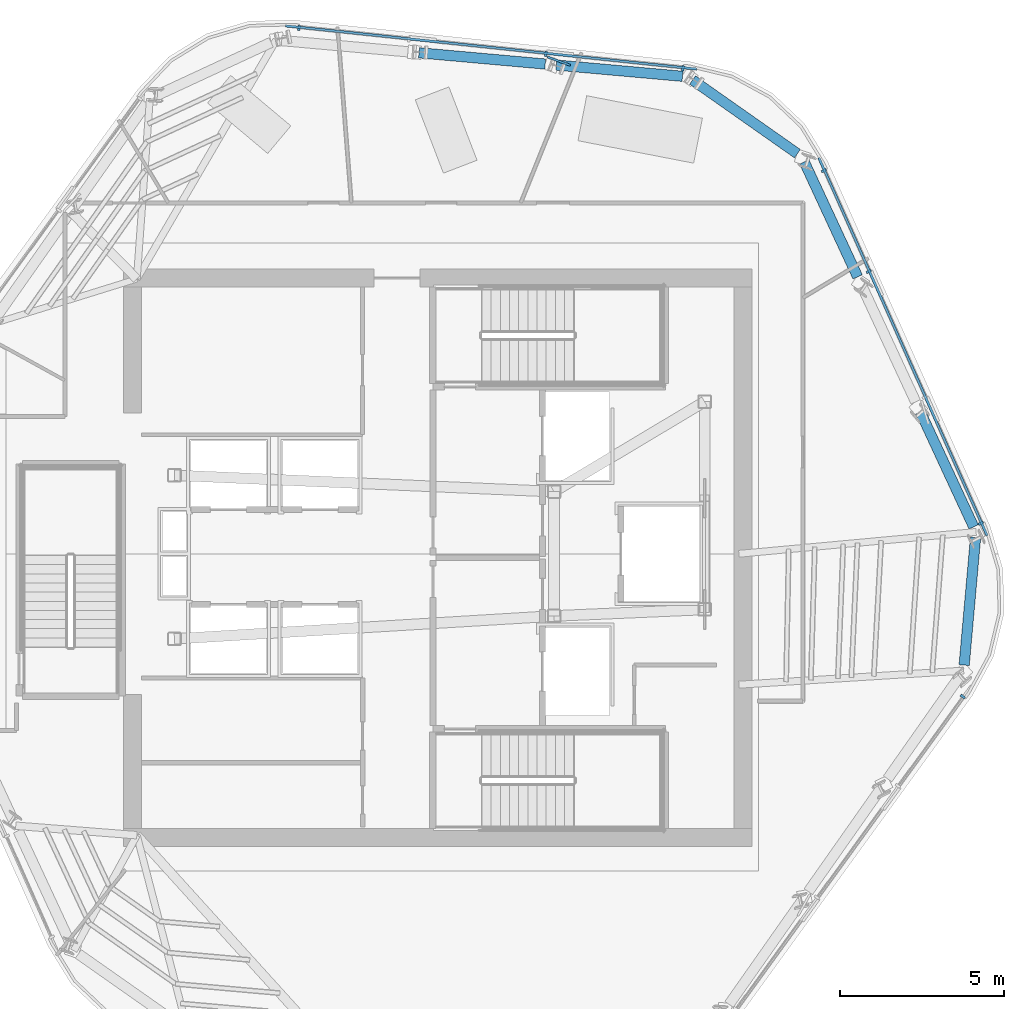
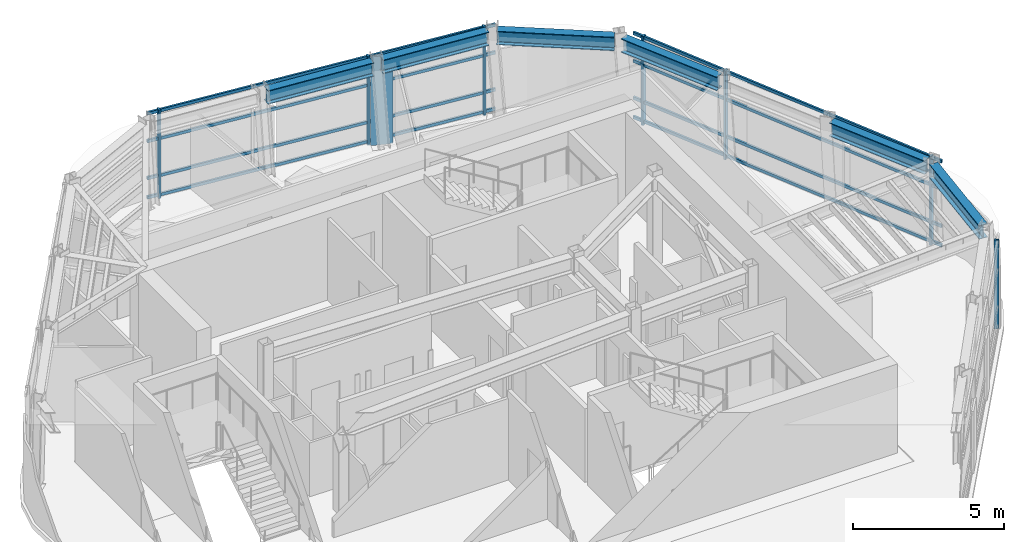
# One storey, part 4 of 12: 16 members, 6 beams, 3 elements without a shape of their own.
"""IFC4 building model written with IfcOpenShell, lengths in metres."""

from ifc_helpers import new_model, si_unit, direction, frame, origin, origin_2d, place, context, subcontext, project, spatial, rectangle, i_section, extrude, material, layer, layer_set, material_profile, profile_set, type_object, element, aggregate, save


model = new_model("IFC4")

# Units and contexts
model_context = context("Model", 3, precision=1e-05, world=origin(), true_north=direction((0.0, 1.0)))
body_context = subcontext(model_context, "Body", "Model", "MODEL_VIEW")
ifc_project = project(units=[si_unit("LENGTHUNIT", "METRE"), si_unit("AREAUNIT", "SQUARE_METRE"), si_unit("VOLUMEUNIT", "CUBIC_METRE"), si_unit("PLANEANGLEUNIT", "RADIAN"), si_unit("MASSUNIT", "GRAM", prefix="KILO")], contexts=[model_context])

# Site, building, storey
site_placement = place(None, origin())
site = spatial("IfcSite", under=ifc_project, at=site_placement, CompositionType="ELEMENT")
building_placement = place(site_placement, origin())
building = spatial("IfcBuilding", under=site, at=building_placement, Name="Valkerne Bourse Tower", CompositionType="ELEMENT")
storey_placement = place(building_placement, frame((0.0, 0.0, 258.39990234375)))
storey = spatial("IfcBuildingStorey", under=building, at=storey_placement, Name="L65", CompositionType="ELEMENT", Elevation=258.39990234375)

# Beams
ifc_material_1 = material(Name="Steel ASTM A992", Category="steel")
ifc_material_profile_1 = material_profile(ifc_material_1, i_section(OverallWidth=0.31494140625, OverallDepth=0.5537109375, WebThickness=0.0166015625, FlangeThickness=0.026123046875, FilletRadius=0.020263671875, at=origin_2d()), Name="W21X132")
ifc_profile_set_1 = profile_set([ifc_material_profile_1], Name="Steel ASTM A992")
beam_type = type_object("IfcBeamType", Name="BM-W21X132", PredefinedType="BEAM", material=ifc_profile_set_1)
beam_1_placement = place(storey_placement, frame((54.27490234375, 41.592041015625, 3.3232421875), z_axis=(-0.996040696614, 0.088898429056, 0.0), x_axis=(-0.088898429056, -0.996040696614, 0.0)))
element("IfcBeam", 1, at=beam_1_placement, inside=storey, type_object=beam_type, Name="L65 Hexagonal Spandrel Ring Beam 00", PredefinedType="BEAM", context=body_context, shape_type="SweptSolid", body=[
    extrude(i_section(OverallWidth=0.31494140625, OverallDepth=0.5537109375, WebThickness=0.0166015625, FlangeThickness=0.026123046875, FilletRadius=0.020263671875, at=origin_2d()), origin(), (0.0, 0.0, 1.0), 3.872314453125),
])
beam_2_placement = place(storey_placement, frame((50.079345703125, 41.966552734375, 3.3232421875), z_axis=(-0.996040198299, 0.088904012129, 0.0), x_axis=(-0.088904012129, -0.996040198299, 0.0)))
element("IfcBeam", 2, at=beam_2_placement, inside=storey, type_object=beam_type, Name="L65 Hexagonal Spandrel Ring Beam 01", PredefinedType="BEAM", context=body_context, shape_type="SweptSolid", body=[
    extrude(i_section(OverallWidth=0.31494140625, OverallDepth=0.5537109375, WebThickness=0.0166015625, FlangeThickness=0.026123046875, FilletRadius=0.020263671875, at=origin_2d()), origin(), (0.0, 0.0, 1.0), 3.8720703125),
])
beam_3_placement = place(storey_placement, frame((62.8828125, 23.59912109375, 3.3232421875), z_axis=(0.088910950834, 0.996039578943, 0.0), x_axis=(-0.996039578943, 0.088910950834, 0.0)))
element("IfcBeam", 3, at=beam_3_placement, inside=storey, type_object=beam_type, Name="L65 Hexagonal Spandrel Ring Beam 19", PredefinedType="BEAM", context=body_context, shape_type="SweptSolid", body=[
    extrude(i_section(OverallWidth=0.31494140625, OverallDepth=0.5537109375, WebThickness=0.0166015625, FlangeThickness=0.026123046875, FilletRadius=0.020263671875, at=origin_2d()), origin(), (0.0, 0.0, 1.0), 3.915771484375),
])
beam_4_placement = place(storey_placement, frame((63.17431640625, 27.82275390625, 3.3232421875), z_axis=(-0.421020525824, 0.907051110376, 0.0), x_axis=(-0.907051110376, -0.421020525824, 0.0)))
element("IfcBeam", 4, at=beam_4_placement, inside=storey, type_object=beam_type, Name="L65 Hexagonal Spandrel Ring Beam 20", PredefinedType="BEAM", context=body_context, shape_type="SweptSolid", body=[
    extrude(i_section(OverallWidth=0.31494140625, OverallDepth=0.5537109375, WebThickness=0.0166015625, FlangeThickness=0.026123046875, FilletRadius=0.020263671875, at=origin_2d()), origin(), (0.0, 0.0, 1.0), 3.871826171875),
])
beam_5_placement = place(storey_placement, frame((59.627685546875, 35.463623046875, 3.3232421875), z_axis=(-0.42107240202, 0.907027029508, 0.0), x_axis=(-0.907027029508, -0.42107240202, 0.0)))
element("IfcBeam", 5, at=beam_5_placement, inside=storey, type_object=beam_type, Name="L65 Hexagonal Spandrel Ring Beam 22", PredefinedType="BEAM", context=body_context, shape_type="SweptSolid", body=[
    extrude(i_section(OverallWidth=0.31494140625, OverallDepth=0.5537109375, WebThickness=0.0166015625, FlangeThickness=0.026123046875, FilletRadius=0.020263671875, at=origin_2d()), origin(), (0.0, 0.0, 1.0), 3.8720703125),
])
beam_6_placement = place(storey_placement, frame((57.78662109375, 39.227783203125, 3.3232421875), z_axis=(-0.818167119795, 0.574980490179, 0.0), x_axis=(-0.574980490179, -0.818167119795, 0.0)))
element("IfcBeam", 6, at=beam_6_placement, inside=storey, type_object=beam_type, Name="L65 Hexagonal Spandrel Ring Beam 23", PredefinedType="BEAM", context=body_context, shape_type="SweptSolid", body=[
    extrude(i_section(OverallWidth=0.31494140625, OverallDepth=0.5537109375, WebThickness=0.0166015625, FlangeThickness=0.026123046875, FilletRadius=0.020263671875, at=origin_2d()), origin(), (0.0, 0.0, 1.0), 3.915283203125),
])

# Curtain wall, members
ifc_material_2 = material(Name="Aluminium AA 6063-T6", Category="aluminium")
ifc_layer = layer(ifc_material_2, 0.2451171875)
ifc_layer_set = layer_set([ifc_layer], Name="Aluminium AA 6063-T6")
curtain_wall_type = type_object("IfcCurtainWallType", Name="CW-05", PredefinedType="NOTDEFINED", material=ifc_layer_set)
curtain_wall_1_placement = place(storey_placement, origin())
curtain_wall_1 = element("IfcCurtainWall", 7, at=curtain_wall_1_placement, inside=storey, type_object=curtain_wall_type, Name="L65 Hexagonal Stick Curtain Wall Face 1", PredefinedType="NOTDEFINED")
ifc_material_profile_2 = material_profile(ifc_material_2, rectangle(XDim=0.074951171875, YDim=0.159912109375, at=origin_2d()), Name="CWM-75X160")
ifc_profile_set_2 = profile_set([ifc_material_profile_2], Name="Aluminium AA 6063-T6")
member_type_1 = type_object("IfcMemberType", Name="CW-MUL-160X75", PredefinedType="MULLION", material=ifc_profile_set_2)
member_1_placement = place(storey_placement, frame((54.289794921875, 41.837158203125, 0.0), z_axis=(0.0, 0.0, 1.0), x_axis=(-0.994523650821, 0.104511759904, 0.0)))
member_1 = element("IfcMember", 8, at=member_1_placement, type_object=member_type_1, Name="CW-L65-F1 Jamb Mullion 00A", PredefinedType="MULLION", context=body_context, shape_type="SweptSolid", body=[
    extrude(rectangle(XDim=0.074951171875, YDim=0.159912109375, at=origin_2d()), origin(), (0.0, 0.0, 1.0), 3.60009765625),
])
member_2_placement = place(storey_placement, frame((50.10107421875, 42.27734375, 0.0), z_axis=(0.0, 0.0, 1.0), x_axis=(-0.994521442263, 0.104532774186, 0.0)))
member_2 = element("IfcMember", 9, at=member_2_placement, type_object=member_type_1, Name="CW-L65-F1 Jamb Mullion 01A", PredefinedType="MULLION", context=body_context, shape_type="SweptSolid", body=[
    extrude(rectangle(XDim=0.074951171875, YDim=0.159912109375, at=origin_2d()), origin(), (0.0, 0.0, 1.0), 3.60009765625),
])
member_3_placement = place(storey_placement, frame((42.55859375, 43.070068359375, 0.0), z_axis=(0.0, 0.0, 1.0), x_axis=(-0.994521182832, 0.104535242377, 0.0)))
member_3 = element("IfcMember", 10, at=member_3_placement, type_object=member_type_1, Name="CW-L65-F1 Jamb Mullion 02B", PredefinedType="MULLION", context=body_context, shape_type="SweptSolid", body=[
    extrude(rectangle(XDim=0.074951171875, YDim=0.159912109375, at=origin_2d()), origin(), (0.0, 0.0, 1.0), 3.60009765625),
])

# Curtain wall, member
curtain_wall_2_placement = place(storey_placement, origin())
curtain_wall_2 = element("IfcCurtainWall", 11, at=curtain_wall_2_placement, inside=storey, type_object=curtain_wall_type, Name="L65 Hexagonal Stick Curtain Wall Face 5", PredefinedType="NOTDEFINED")
member_4_placement = place(storey_placement, frame((62.837890625, 22.63818359375, 0.0), z_axis=(0.0, 0.0, 1.0), x_axis=(0.587790486046, 0.809013191805, 0.0)))
member_4 = element("IfcMember", 12, at=member_4_placement, type_object=member_type_1, Name="CW-L65-F5 Jamb Mullion 02B", PredefinedType="MULLION", context=body_context, shape_type="SweptSolid", body=[
    extrude(rectangle(XDim=0.074951171875, YDim=0.159912109375, at=origin_2d()), origin(), (0.0, 0.0, 1.0), 3.60009765625),
])
aggregate(curtain_wall_2, [member_4])

# Curtain wall, members
curtain_wall_3_placement = place(storey_placement, origin())
curtain_wall_3 = element("IfcCurtainWall", 13, at=curtain_wall_3_placement, inside=storey, type_object=curtain_wall_type, Name="L65 Hexagonal Stick Curtain Wall Face 6", PredefinedType="NOTDEFINED")
member_5_placement = place(storey_placement, frame((63.394287109375, 27.93212890625, 0.0), z_axis=(0.0, 0.0, 1.0), x_axis=(-0.406737542976, 0.913545056981, 0.0)))
member_5 = element("IfcMember", 14, at=member_5_placement, type_object=member_type_1, Name="CW-L65-F6 Jamb Mullion 00A", PredefinedType="MULLION", context=body_context, shape_type="SweptSolid", body=[
    extrude(rectangle(XDim=0.074951171875, YDim=0.159912109375, at=origin_2d()), origin(), (0.0, 0.0, 1.0), 3.60009765625),
])
member_6_placement = place(storey_placement, frame((59.968017578125, 35.627685546875, 0.0), z_axis=(0.0, 0.0, 1.0), x_axis=(-0.406737542976, 0.913545056981, 0.0)))
member_6 = element("IfcMember", 15, at=member_6_placement, type_object=member_type_1, Name="CW-L65-F6 Jamb Mullion 02A", PredefinedType="MULLION", context=body_context, shape_type="SweptSolid", body=[
    extrude(rectangle(XDim=0.074951171875, YDim=0.159912109375, at=origin_2d()), origin(), (0.0, 0.0, 1.0), 3.60009765625),
])
member_7_placement = place(storey_placement, frame((58.596435546875, 38.708251953125, 0.0), z_axis=(0.0, 0.0, 1.0), x_axis=(-0.406737542976, 0.913545056981, 0.0)))
member_7 = element("IfcMember", 16, at=member_7_placement, type_object=member_type_1, Name="CW-L65-F6 Jamb Mullion 02B", PredefinedType="MULLION", context=body_context, shape_type="SweptSolid", body=[
    extrude(rectangle(XDim=0.074951171875, YDim=0.159912109375, at=origin_2d()), origin(), (0.0, 0.0, 1.0), 3.60009765625),
])

# Member
ifc_material_profile_3 = material_profile(ifc_material_2, rectangle(XDim=0.074951171875, YDim=0.1201171875, at=origin_2d()), Name="CWT-75X120")
ifc_profile_set_3 = profile_set([ifc_material_profile_3], Name="Aluminium AA 6063-T6")
member_type_2 = type_object("IfcMemberType", Name="CW-TRN-120X75", PredefinedType="USERDEFINED", material=ifc_profile_set_3)
member_8_placement = place(storey_placement, frame((54.709716796875, 41.81298828125, 0.1201171875), z_axis=(-0.99452216733, 0.10452587569, 0.0), x_axis=(-0.10452587569, -0.99452216733, 0.0)))
member_8 = element("IfcMember", 17, at=member_8_placement, type_object=member_type_2, Name="CW-L65-F1 Continuous Face Transom 1", ObjectType="TRANSOM", PredefinedType="USERDEFINED", context=body_context, shape_type="SweptSolid", body=[
    extrude(rectangle(XDim=0.074951171875, YDim=0.1201171875, at=origin_2d()), origin(), (0.0, 0.0, 1.0), 12.63623046875),
])

member_9_placement = place(storey_placement, frame((54.709716796875, 41.81298828125, 0.900146484375), z_axis=(-0.99452216733, 0.10452587569, 0.0), x_axis=(-0.10452587569, -0.99452216733, 0.0)))
member_9 = element("IfcMember", 18, at=member_9_placement, type_object=member_type_2, Name="CW-L65-F1 Continuous Face Transom 2", ObjectType="TRANSOM", PredefinedType="USERDEFINED", context=body_context, shape_type="SweptSolid", body=[
    extrude(rectangle(XDim=0.074951171875, YDim=0.1201171875, at=origin_2d()), origin(), (0.0, 0.0, 1.0), 12.63623046875),
])

member_10_placement = place(storey_placement, frame((54.709716796875, 41.81298828125, 2.400146484375), z_axis=(-0.99452216733, 0.10452587569, 0.0), x_axis=(-0.10452587569, -0.99452216733, 0.0)))
member_10 = element("IfcMember", 19, at=member_10_placement, type_object=member_type_2, Name="CW-L65-F1 Continuous Face Transom 3", ObjectType="TRANSOM", PredefinedType="USERDEFINED", context=body_context, shape_type="SweptSolid", body=[
    extrude(rectangle(XDim=0.074951171875, YDim=0.1201171875, at=origin_2d()), origin(), (0.0, 0.0, 1.0), 12.63623046875),
])

member_11_placement = place(storey_placement, frame((54.709716796875, 41.81298828125, 3.52001953125), z_axis=(-0.99452216733, 0.10452587569, 0.0), x_axis=(-0.10452587569, -0.99452216733, 0.0)))
member_11 = element("IfcMember", 20, at=member_11_placement, type_object=member_type_2, Name="CW-L65-F1 Continuous Face Transom 4", ObjectType="TRANSOM", PredefinedType="USERDEFINED", context=body_context, shape_type="SweptSolid", body=[
    extrude(rectangle(XDim=0.074951171875, YDim=0.1201171875, at=origin_2d()), origin(), (0.0, 0.0, 1.0), 12.63623046875),
])

aggregate(curtain_wall_1, [member_8, member_9, member_10, member_11, member_1, member_2, member_3])

member_12_placement = place(storey_placement, frame((63.58349609375, 27.556396484375, 0.1201171875), z_axis=(-0.4067407076, 0.913543647989, 0.0), x_axis=(-0.913543647989, -0.4067407076, 0.0)))
member_12 = element("IfcMember", 21, at=member_12_placement, type_object=member_type_2, Name="CW-L65-F6 Continuous Face Transom 1", ObjectType="TRANSOM", PredefinedType="USERDEFINED", context=body_context, shape_type="SweptSolid", body=[
    extrude(rectangle(XDim=0.074951171875, YDim=0.1201171875, at=origin_2d()), origin(), (0.0, 0.0, 1.0), 12.63623046875),
])

member_13_placement = place(storey_placement, frame((63.58349609375, 27.556396484375, 0.900146484375), z_axis=(-0.4067407076, 0.913543647989, 0.0), x_axis=(-0.913543647989, -0.4067407076, 0.0)))
member_13 = element("IfcMember", 22, at=member_13_placement, type_object=member_type_2, Name="CW-L65-F6 Continuous Face Transom 2", ObjectType="TRANSOM", PredefinedType="USERDEFINED", context=body_context, shape_type="SweptSolid", body=[
    extrude(rectangle(XDim=0.074951171875, YDim=0.1201171875, at=origin_2d()), origin(), (0.0, 0.0, 1.0), 12.63623046875),
])

member_14_placement = place(storey_placement, frame((63.58349609375, 27.556396484375, 2.400146484375), z_axis=(-0.4067407076, 0.913543647989, 0.0), x_axis=(-0.913543647989, -0.4067407076, 0.0)))
member_14 = element("IfcMember", 23, at=member_14_placement, type_object=member_type_2, Name="CW-L65-F6 Continuous Face Transom 3", ObjectType="TRANSOM", PredefinedType="USERDEFINED", context=body_context, shape_type="SweptSolid", body=[
    extrude(rectangle(XDim=0.074951171875, YDim=0.1201171875, at=origin_2d()), origin(), (0.0, 0.0, 1.0), 12.63623046875),
])

member_15_placement = place(storey_placement, frame((63.58349609375, 27.556396484375, 3.52001953125), z_axis=(-0.4067407076, 0.913543647989, 0.0), x_axis=(-0.913543647989, -0.4067407076, 0.0)))
member_15 = element("IfcMember", 24, at=member_15_placement, type_object=member_type_2, Name="CW-L65-F6 Continuous Face Transom 4", ObjectType="TRANSOM", PredefinedType="USERDEFINED", context=body_context, shape_type="SweptSolid", body=[
    extrude(rectangle(XDim=0.074951171875, YDim=0.1201171875, at=origin_2d()), origin(), (0.0, 0.0, 1.0), 12.63623046875),
])

aggregate(curtain_wall_3, [member_12, member_13, member_14, member_15, member_5, member_6, member_7])

ifc_material_3 = material(Name="Bronze Anodised Aluminium AA 6063-T6", Category="aluminium")
ifc_material_profile_4 = material_profile(ifc_material_3, rectangle(XDim=0.06494140625, YDim=0.75, at=origin_2d()), Name="FIN-65X750")
ifc_profile_set_4 = profile_set([ifc_material_profile_4], Name="Bronze Anodised Aluminium AA 6063-T6")
member_type_3 = type_object("IfcMemberType", Name="FIN-SOLAR-650", PredefinedType="USERDEFINED", material=ifc_profile_set_4)
member_16_placement = place(storey_placement, frame((50.5, 42.054443359375, 0.004150390625), z_axis=(0.0, 0.0, 1.0), x_axis=(0.341945559862, 0.939719763595, 0.0)))
element("IfcMember", 25, at=member_16_placement, inside=storey, type_object=member_type_3, Name="L65 Bronze Anodised Solar Fin F1-01", ObjectType="SOLAR_FIN", PredefinedType="USERDEFINED", context=body_context, shape_type="SweptSolid", body=[
    extrude(rectangle(XDim=0.06494140625, YDim=0.75, at=origin_2d()), origin(), (0.0, 0.0, 1.0), 3.592041015625),
])

save(model, "model.ifc")
